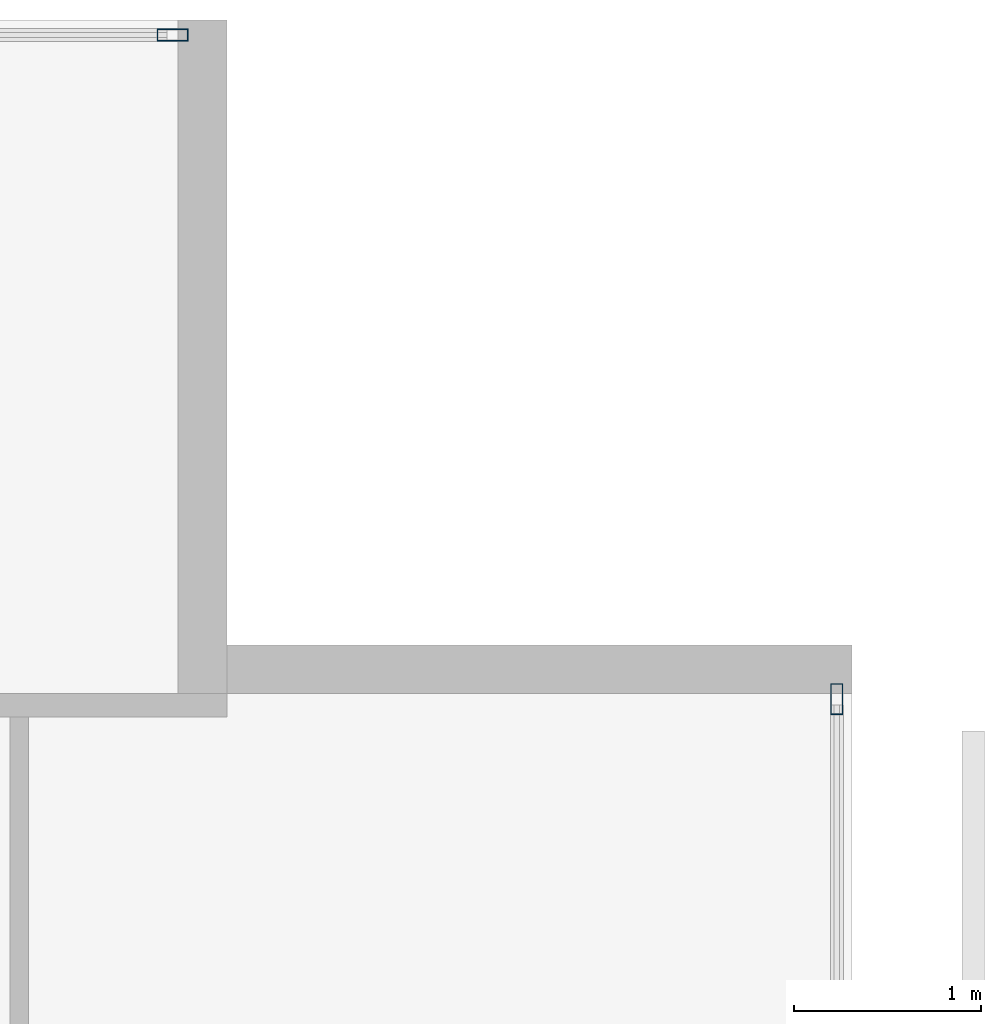
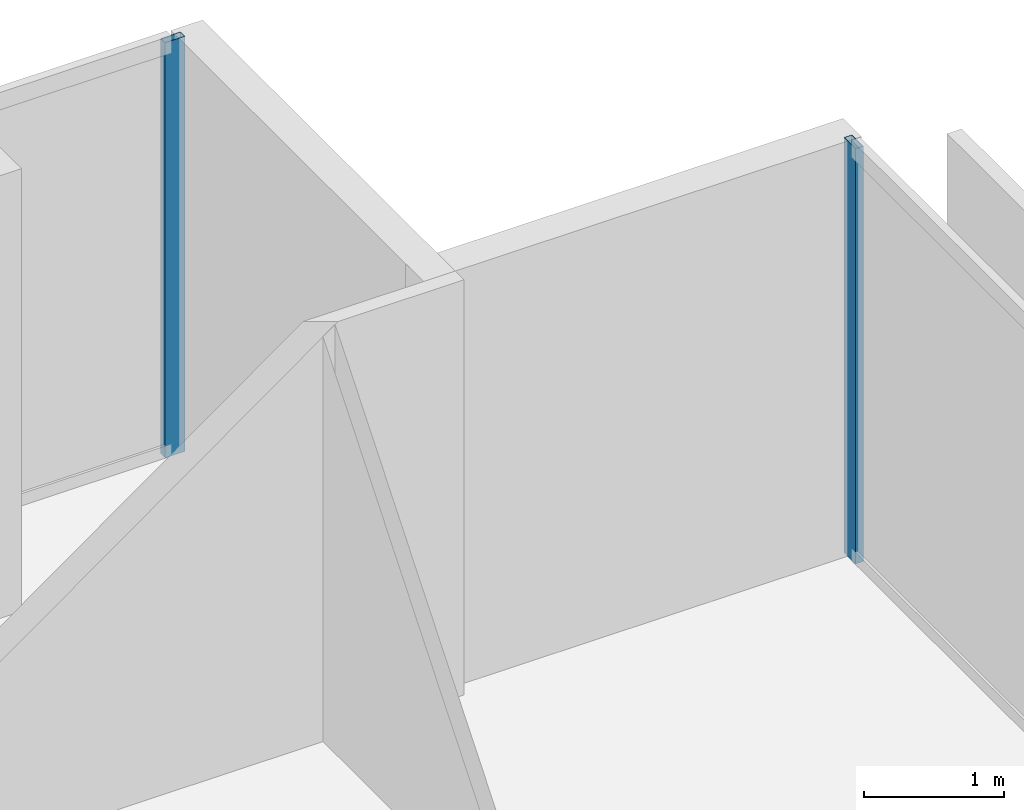
# One storey, part 31 of 39: 2 members, 2 elements without a shape of their own.
"""IFC4 building model written with IfcOpenShell, lengths in metres."""

from ifc_helpers import new_model, si_unit, direction, frame, origin, origin_2d, place, context, subcontext, project, spatial, hollow_rectangle, extrude, material, layer, layer_set, material_profile, profile_set, type_object, element, aggregate, save


model = new_model("IFC4")

# Units and contexts
model_context = context("Model", 3, precision=1e-05, world=origin(), true_north=direction((0.0, 1.0)))
body_context = subcontext(model_context, "Body", "Model", "MODEL_VIEW")
ifc_project = project(units=[si_unit("LENGTHUNIT", "METRE"), si_unit("AREAUNIT", "SQUARE_METRE"), si_unit("VOLUMEUNIT", "CUBIC_METRE"), si_unit("PLANEANGLEUNIT", "RADIAN"), si_unit("MASSUNIT", "GRAM", prefix="KILO")], contexts=[model_context])

# Site, building, storey
site_placement = place(None, origin())
site = spatial("IfcSite", under=ifc_project, at=site_placement, CompositionType="ELEMENT")
building_placement = place(site_placement, origin())
building = spatial("IfcBuilding", under=site, at=building_placement, Name="Maruvema Waterfront Hotel and Observation Tower", CompositionType="ELEMENT")
storey_placement = place(building_placement, frame((0.0, 0.0, 69.300048828125)))
storey = spatial("IfcBuildingStorey", under=building, at=storey_placement, Name="L16", CompositionType="ELEMENT", Elevation=69.300048828125)

# Curtain wall, member
ifc_material_1 = material(Name="Anodised bronze aluminium and solar-control low-E IGU", Category="aluminium")
ifc_layer = layer(ifc_material_1, 0.159912109375, Name="Zone 1 Bronze Inner Thermal Curtain Wall System CW-02")
ifc_layer_set = layer_set([ifc_layer], Name="Anodised bronze aluminium and solar-control low-E IGU")
curtain_wall_type = type_object("IfcCurtainWallType", Name="Zone 1 Bronze Inner Thermal Curtain Wall System CW-02", PredefinedType="USERDEFINED", material=ifc_layer_set)
curtain_wall_1_placement = place(storey_placement, origin())
curtain_wall_1 = element("IfcCurtainWall", 1, at=curtain_wall_1_placement, inside=storey, type_object=curtain_wall_type, Name="L16 Curtain Wall CW-L16-E", ObjectType="UNITISED CURTAIN WALL", PredefinedType="USERDEFINED")
ifc_material_2 = material(Name="Anodised architectural bronze aluminium", Category="aluminium")
ifc_material_profile = material_profile(ifc_material_2, hollow_rectangle(XDim=0.06494140625, YDim=0.1650390625, WallThickness=0.00390625, at=origin_2d()), Name="ALU-M65x165")
ifc_profile_set = profile_set([ifc_material_profile], Name="Anodised architectural bronze aluminium")
member_type = type_object("IfcMemberType", Name="Curtain Wall Primary Mullion ALU-M65x165", PredefinedType="MULLION", material=ifc_profile_set)
member_1_placement = place(storey_placement, frame((64.719970703125, 50.3701171875, 0.0), z_axis=(0.0, 0.0, 1.0), x_axis=(-1.0, 0.0, 0.0)))
member_1 = element("IfcMember", 2, at=member_1_placement, type_object=member_type, Name="CW-02 mullion 7", PredefinedType="MULLION", context=body_context, shape_type="SweptSolid", body=[
    extrude(hollow_rectangle(XDim=0.06494140625, YDim=0.1650390625, WallThickness=0.00390625, at=origin_2d()), origin(), (0.0, 0.0, 1.0), 3.60986328125),
])
aggregate(curtain_wall_1, [member_1])

curtain_wall_2_placement = place(storey_placement, origin())
curtain_wall_2 = element("IfcCurtainWall", 3, at=curtain_wall_2_placement, inside=storey, type_object=curtain_wall_type, Name="L16 Curtain Wall CW-L16-NE", ObjectType="UNITISED CURTAIN WALL", PredefinedType="USERDEFINED")
member_2_placement = place(storey_placement, frame((61.169921875, 53.919921875, 0.0), z_axis=(0.0, 0.0, 1.0), x_axis=(0.0, -1.0, 0.0)))
member_2 = element("IfcMember", 4, at=member_2_placement, type_object=member_type, Name="CW-02 mullion 1", PredefinedType="MULLION", context=body_context, shape_type="SweptSolid", body=[
    extrude(hollow_rectangle(XDim=0.06494140625, YDim=0.1650390625, WallThickness=0.00390625, at=origin_2d()), origin(), (0.0, 0.0, 1.0), 3.60986328125),
])
aggregate(curtain_wall_2, [member_2])

save(model, "model.ifc")
